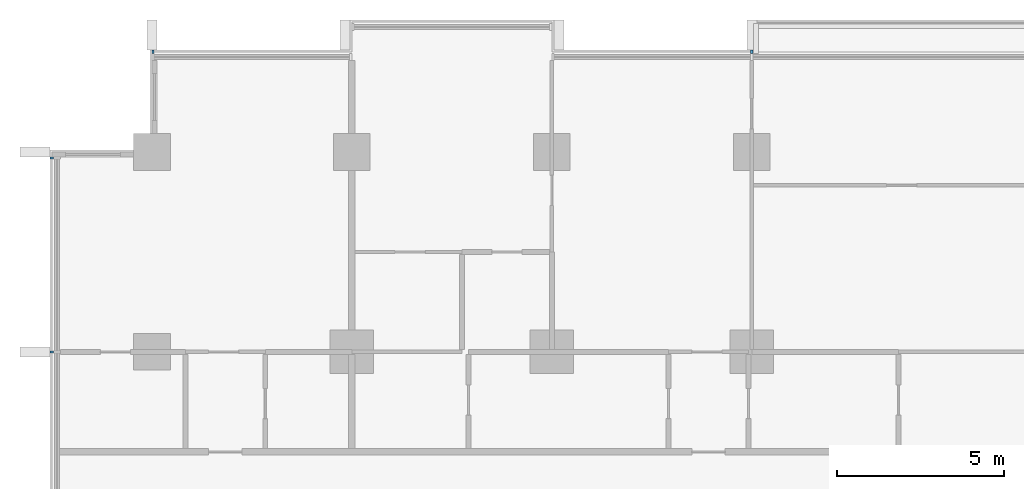
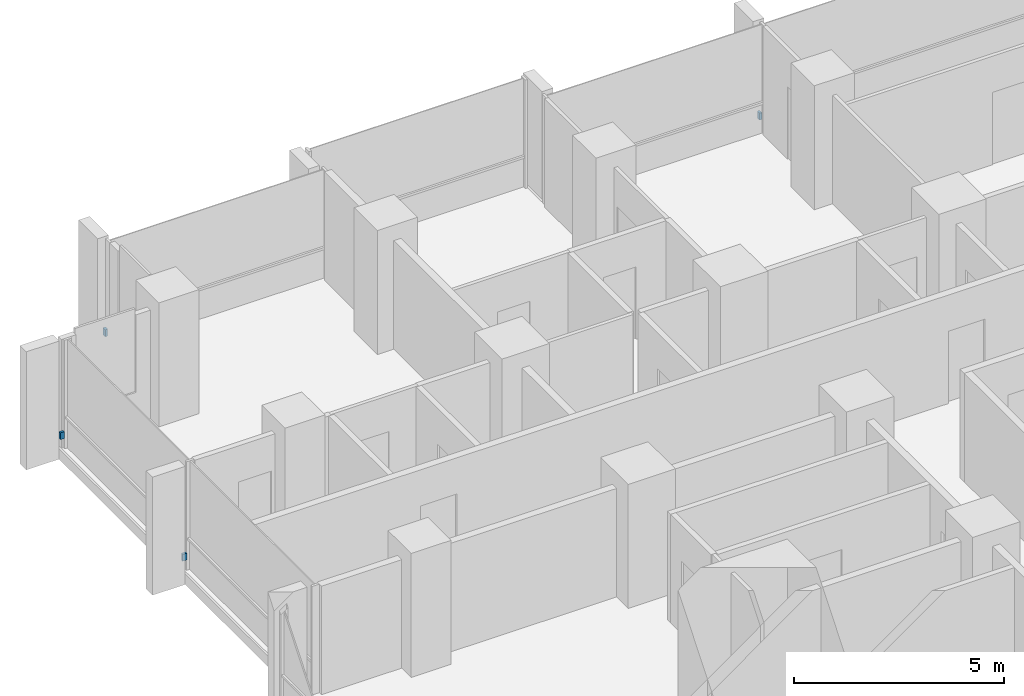
# One storey, part 16 of 18: 4 discrete accessories.
"""IFC4 building model written with IfcOpenShell, lengths in metres."""

from ifc_helpers import new_model, si_unit, direction, frame, origin, origin_2d, place, context, subcontext, project, spatial, rectangle, extrude, material, type_object, element, save


model = new_model("IFC4")

# Units and contexts
model_context = context("Model", 3, precision=1e-05, world=origin(), true_north=direction((0.0, 1.0)))
body_context = subcontext(model_context, "Body", "Model", "MODEL_VIEW")
ifc_project = project(units=[si_unit("LENGTHUNIT", "METRE"), si_unit("AREAUNIT", "SQUARE_METRE"), si_unit("VOLUMEUNIT", "CUBIC_METRE"), si_unit("PLANEANGLEUNIT", "RADIAN"), si_unit("MASSUNIT", "GRAM", prefix="KILO")], contexts=[model_context])

# Site, building, storey
site_placement = place(None, origin())
site = spatial("IfcSite", under=ifc_project, at=site_placement, CompositionType="ELEMENT")
building_placement = place(site_placement, origin())
building = spatial("IfcBuilding", under=site, at=building_placement, Name="Finial Court Residences", CompositionType="ELEMENT")
storey_placement = place(building_placement, frame((0.0, 0.0, 72.10009765625)))
storey = spatial("IfcBuildingStorey", under=building, at=storey_placement, Name="L17", CompositionType="ELEMENT", Elevation=72.10009765625)

# Discrete accessories
ifc_material = material(Name="Stainless steel 316", Category="steel")
discrete_accessory_type = type_object("IfcDiscreteAccessoryType", Name="Fin bracket, stainless steel 65 x 110 x 200", PredefinedType="BRACKET", material=ifc_material)
for number, where, z_axis, x_axis, name in (
    (1, (-22.467529296875, 28.5048828125, 0.2998046875), (0.0, 0.0, 1.0), (1.0, 0.0, 0.0), "E-L17-FIN-N1-BRK"),
    (2, (-4.5, 28.5048828125, 0.2998046875), (0.0, 0.0, 1.0), (1.0, 0.0, 0.0), "E-L17-FIN-N4-BRK"),
):
    element("IfcDiscreteAccessory", number, at=place(storey_placement, frame(where, z_axis=z_axis, x_axis=x_axis)), inside=storey, type_object=discrete_accessory_type, Name=name, PredefinedType="BRACKET", context=body_context, shape_type="SweptSolid", body=[
        extrude(rectangle(XDim=0.06494140625, YDim=0.110107421875, at=origin_2d()), origin(), (0.0, 0.0, 1.0), 0.199951171875),
    ])
for number, where, z_axis, x_axis, name in (
    (3, (-25.5048828125, 19.5, 0.2998046875), (0.0, 0.0, 1.0), (1.0, 0.0, 0.0), "E-L17-FIN-W33-BRK"),
    (4, (-25.5048828125, 25.3173828125, 0.2998046875), (0.0, 0.0, 1.0), (1.0, 0.0, 0.0), "E-L17-FIN-W34-BRK"),
):
    element("IfcDiscreteAccessory", number, at=place(storey_placement, frame(where, z_axis=z_axis, x_axis=x_axis)), inside=storey, type_object=discrete_accessory_type, Name=name, PredefinedType="BRACKET", context=body_context, shape_type="SweptSolid", body=[
        extrude(rectangle(XDim=0.110107421875, YDim=0.06494140625, at=origin_2d()), origin(), (0.0, 0.0, 1.0), 0.199951171875),
    ])

save(model, "model.ifc")
